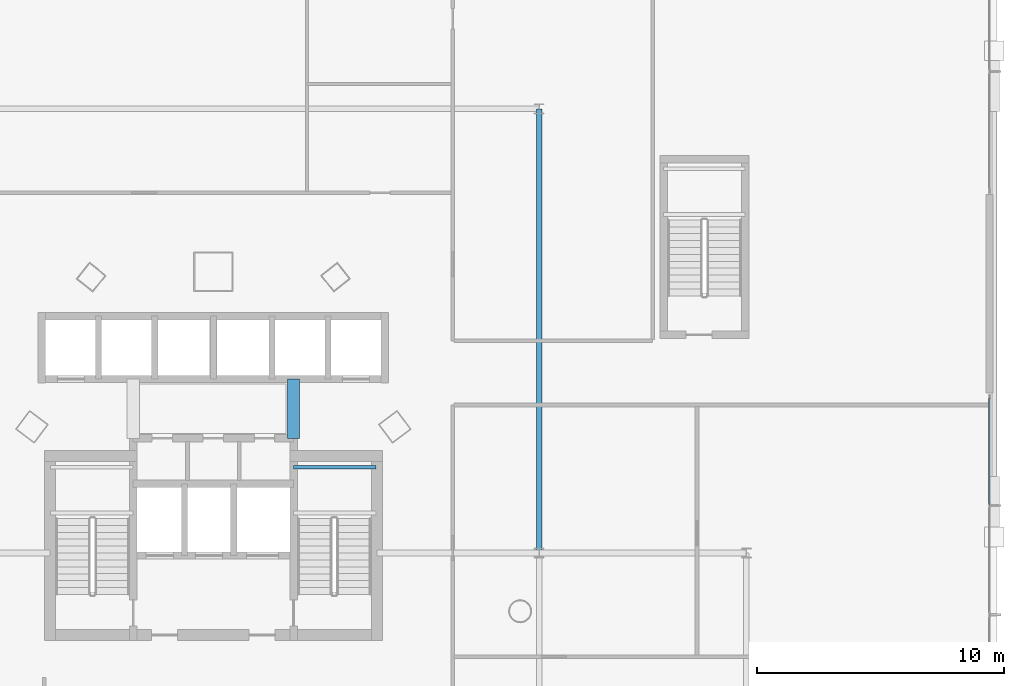
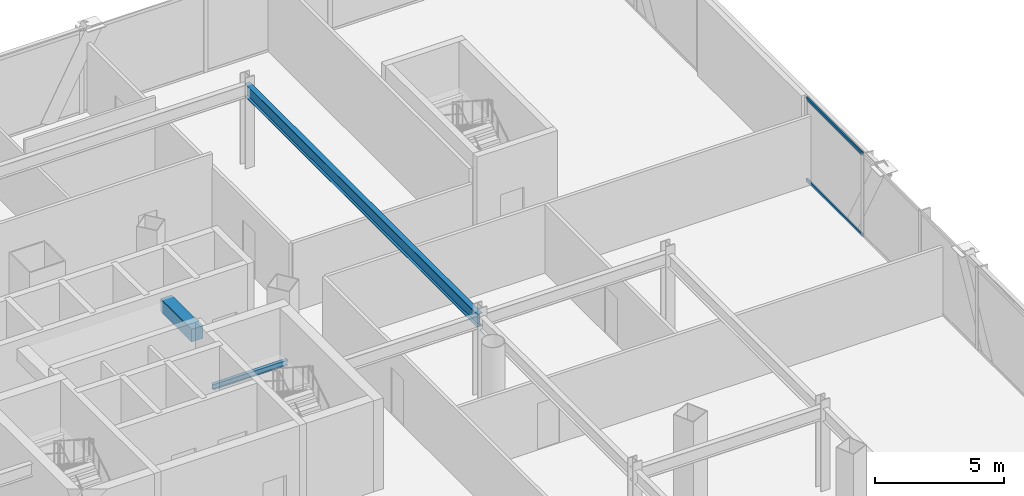
# One storey, part 29 of 46: 3 beams, 2 members, 1 element without a shape of its own.
"""IFC4 building model written with IfcOpenShell, lengths in metres."""

from ifc_helpers import new_model, si_unit, direction, frame, origin, origin_2d, place, context, subcontext, project, spatial, rectangle, hollow_rectangle, i_section, extrude, material, layer, layer_set, material_profile, profile_set, type_object, element, aggregate, save


model = new_model("IFC4")

# Units and contexts
model_context = context("Model", 3, precision=1e-05, world=origin(), true_north=direction((0.0, 1.0)))
body_context = subcontext(model_context, "Body", "Model", "MODEL_VIEW")
ifc_project = project(units=[si_unit("LENGTHUNIT", "METRE"), si_unit("AREAUNIT", "SQUARE_METRE"), si_unit("VOLUMEUNIT", "CUBIC_METRE"), si_unit("PLANEANGLEUNIT", "RADIAN"), si_unit("MASSUNIT", "GRAM", prefix="KILO")], contexts=[model_context])

# Site, building, storey
site_placement = place(None, origin())
site = spatial("IfcSite", under=ifc_project, at=site_placement, CompositionType="ELEMENT")
building_placement = place(site_placement, origin())
building = spatial("IfcBuilding", under=site, at=building_placement, Name="Orvanel Arch Residences", CompositionType="ELEMENT")
storey_placement = place(building_placement, frame((0.0, 0.0, 14.10009765625)))
storey = spatial("IfcBuildingStorey", under=building, at=storey_placement, Name="L03", CompositionType="ELEMENT", Elevation=14.10009765625)

# Beams
ifc_material_1 = material(Name="Structural steel AS/NZS 3679.1 Grade 300 (300 MPa)", Category="steel")
ifc_material_profile_1 = material_profile(ifc_material_1, i_section(OverallWidth=0.22900390625, OverallDepth=0.612060546875, WebThickness=0.011962890625, FlangeThickness=0.01953125, at=origin_2d()), Name="610UB125")
ifc_profile_set_1 = profile_set([ifc_material_profile_1], Name="Structural steel AS/NZS 3679.1 Grade 300 (300 MPa)")
beam_type_1 = type_object("IfcBeamType", Name="BG-610UB", PredefinedType="BEAM", material=ifc_profile_set_1)
beam_1_placement = place(storey_placement, frame((46.199951171875, 30.0, 3.593994140625), z_axis=(0.0, 1.0, 0.0), x_axis=(-1.0, 0.0, 0.0)))
element("IfcBeam", 1, at=beam_1_placement, inside=storey, type_object=beam_type_1, Name="L03 North-South Podium Girder XE46-N", PredefinedType="BEAM", context=body_context, shape_type="SweptSolid", body=[
    extrude(i_section(OverallWidth=0.22900390625, OverallDepth=0.612060546875, WebThickness=0.011962890625, FlangeThickness=0.01953125, at=origin_2d()), origin(), (0.0, 0.0, 1.0), 18.0),
])
ifc_material_profile_2 = material_profile(ifc_material_1, i_section(OverallWidth=0.14599609375, OverallDepth=0.251953125, WebThickness=0.006103515625, FlangeThickness=0.008544921875, at=origin_2d()), Name="250UB31.4")
ifc_profile_set_2 = profile_set([ifc_material_profile_2], Name="Structural steel AS/NZS 3679.1 Grade 300 (300 MPa)")
beam_type_2 = type_object("IfcBeamType", Name="BJ-250UB", PredefinedType="JOIST", material=ifc_profile_set_2)
beam_2_placement = place(storey_placement, frame((36.25, 33.47998046875, 1.823974609375), z_axis=(1.0, 0.0, 0.0), x_axis=(0.0, 1.0, 0.0)))
element("IfcBeam", 2, at=beam_2_placement, inside=storey, type_object=beam_type_2, Name="L03 ST-2 Half-Landing Support Beam 1.2", PredefinedType="JOIST", context=body_context, shape_type="SweptSolid", body=[
    extrude(i_section(OverallWidth=0.14599609375, OverallDepth=0.251953125, WebThickness=0.006103515625, FlangeThickness=0.008544921875, at=origin_2d()), origin(), (0.0, 0.0, 1.0), 3.35009765625),
])
ifc_material_2 = material(Name="Concrete S65 (65 MPa)", Category="concrete")
ifc_material_profile_3 = material_profile(ifc_material_2, rectangle(XDim=0.5, YDim=0.60009765625, at=origin_2d()), Name="RC500x600")
ifc_profile_set_3 = profile_set([ifc_material_profile_3], Name="Concrete S65 (65 MPa)")
beam_type_3 = type_object("IfcBeamType", Name="CB-500x600", PredefinedType="LINTEL", material=ifc_profile_set_3)
beam_3_placement = place(storey_placement, frame((36.25, 34.64990234375, 3.599853515625), z_axis=(0.0, 1.0, 0.0), x_axis=(-1.0, 0.0, 0.0)))
element("IfcBeam", 3, at=beam_3_placement, inside=storey, type_object=beam_type_3, Name="L03 East Core Lobby Coupling Lintel Beam", PredefinedType="LINTEL", context=body_context, shape_type="SweptSolid", body=[
    extrude(rectangle(XDim=0.5, YDim=0.60009765625, at=origin_2d()), origin(), (0.0, 0.0, 1.0), 2.400146484375),
])

# Curtain wall, members
ifc_material_3 = material(Name="Bronze-anodised aluminium AA6063-T6", Category="aluminium")
ifc_layer = layer(ifc_material_3, 0.199951171875)
ifc_layer_set = layer_set([ifc_layer], Name="Bronze-anodised aluminium AA6063-T6")
curtain_wall_type = type_object("IfcCurtainWallType", Name="CW1-POD-SYS", PredefinedType="NOTDEFINED", material=ifc_layer_set)
curtain_wall_placement = place(storey_placement, origin())
curtain_wall = element("IfcCurtainWall", 4, at=curtain_wall_placement, inside=storey, type_object=curtain_wall_type, Name="L03 CW1-POD-SYS Unitised Curtain Wall", PredefinedType="NOTDEFINED")
ifc_material_profile_4 = material_profile(ifc_material_3, hollow_rectangle(XDim=0.06494140625, YDim=0.14990234375, WallThickness=0.00390625, at=origin_2d()), Name="ALU150x65x4")
ifc_profile_set_4 = profile_set([ifc_material_profile_4], Name="Bronze-anodised aluminium AA6063-T6")
member_type = type_object("IfcMemberType", Name="TRN-150x65", PredefinedType="USERDEFINED", material=ifc_profile_set_4)
member_1_placement = place(storey_placement, frame((64.449951171875, 31.967529296875, 0.032470703125), z_axis=(0.0, 1.0, 0.0), x_axis=(-1.0, 0.0, 0.0)))
member_1 = element("IfcMember", 5, at=member_1_placement, type_object=member_type, Name="CW-S1 transom 4.1", ObjectType="TRANSOM", PredefinedType="USERDEFINED", context=body_context, shape_type="SweptSolid", body=[
    extrude(hollow_rectangle(XDim=0.06494140625, YDim=0.14990234375, WallThickness=0.00390625, at=origin_2d()), origin(), (0.0, 0.0, 1.0), 4.3173828125),
])
member_2_placement = place(storey_placement, frame((64.449951171875, 31.967529296875, 3.867431640625), z_axis=(0.0, 1.0, 0.0), x_axis=(-1.0, 0.0, 0.0)))
member_2 = element("IfcMember", 6, at=member_2_placement, type_object=member_type, Name="CW-S1 transom 4.2", ObjectType="TRANSOM", PredefinedType="USERDEFINED", context=body_context, shape_type="SweptSolid", body=[
    extrude(hollow_rectangle(XDim=0.06494140625, YDim=0.14990234375, WallThickness=0.00390625, at=origin_2d()), origin(), (0.0, 0.0, 1.0), 4.3173828125),
])
aggregate(curtain_wall, [member_1, member_2])

save(model, "model.ifc")
